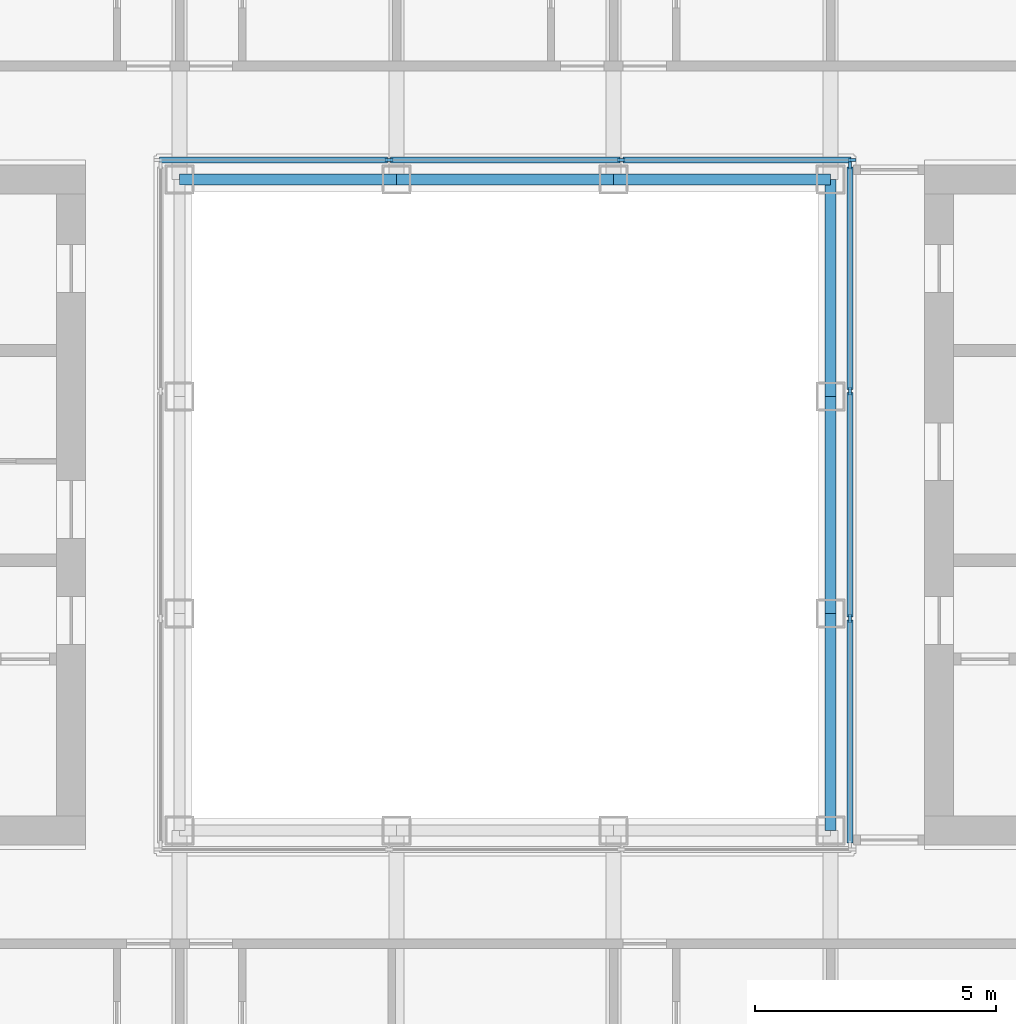
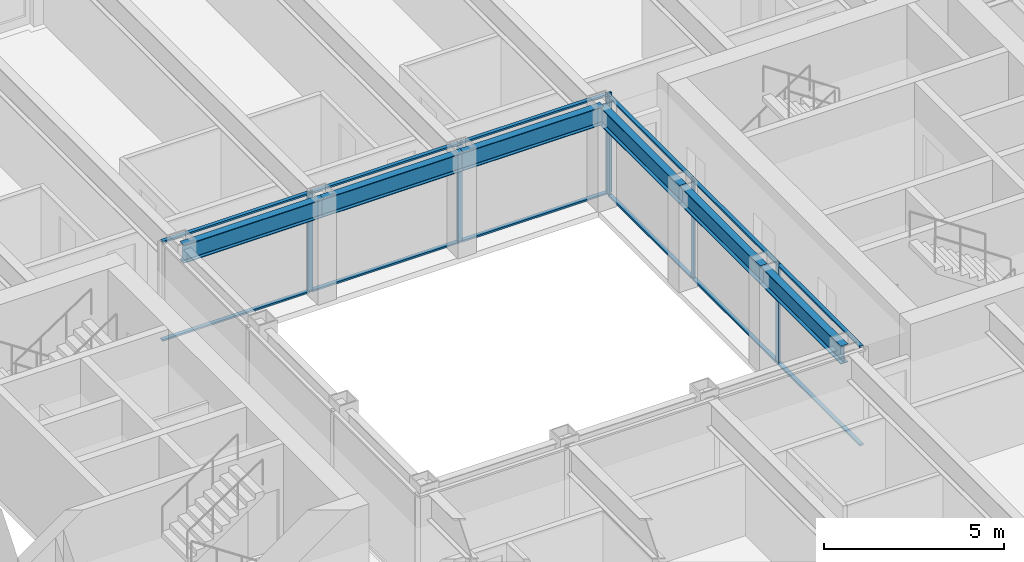
# One storey, part 5 of 17: 18 members, 6 beams, 2 elements without a shape of their own.
"""IFC4 building model written with IfcOpenShell, lengths in metres."""

import ifcopenshell
import ifcopenshell.guid

model = None  # the IFC model being written
_history = None  # IfcOwnerHistory: only IFC2X3 demands one
_inside = {}  # id of a spatial element -> (the spatial element, [elements in it])
_under = {}  # id of a project, library or spatial element -> (it, [spatial elements below it])
_declared = {}  # id of a project -> (the project, [libraries it declares])
_typed = {}  # id of a type object -> (the type object, [elements of that type])
_made_of = {}  # id of a material, layer set ... -> (it, [elements and type objects made of it])


def new_model(schema):
    """Start an empty IFC model of exactly this schema.

    Asked for "IFC4X3", IfcOpenShell would pick the latest addendum, in which some entities
    have other attributes; the version numbers below select the first issue.
    IFC2X3 requires an IfcOwnerHistory on every rooted entity: one is made here for all.
    """
    global model, _history
    if schema == "IFC4X3":
        model = ifcopenshell.file(schema_version=(4, 3, 0, 0))
    else:
        model = ifcopenshell.file(schema=schema)
    _inside.clear()
    _under.clear()
    _declared.clear()
    _typed.clear()
    _made_of.clear()
    _history = None
    if model.schema == "IFC2X3":
        org = make("IfcOrganization", Name="unknown")
        user = make(
            "IfcPersonAndOrganization",
            ThePerson=make("IfcPerson", FamilyName="unknown"),
            TheOrganization=org,
        )
        app = make(
            "IfcApplication",
            ApplicationDeveloper=org,
            Version="unknown",
            ApplicationFullName="unknown",
            ApplicationIdentifier="unknown",
        )
        _history = make(
            "IfcOwnerHistory",
            OwningUser=user,
            OwningApplication=app,
            ChangeAction="ADDED",
            CreationDate=0,
        )
    return model


def make(cls, **values):
    """One entity of the class cls with the attributes given. An attribute that is None is left unset."""
    return model.create_entity(
        cls, **{name: value for name, value in values.items() if value is not None}
    )


def rooted(cls, **values):
    """An entity with a GlobalId (a new one), such as an element, a storey or a relation."""
    return make(cls, GlobalId=ifcopenshell.guid.new(), OwnerHistory=_history, **values)


def si_unit(unit_type, name, prefix=None):
    """IfcSIUnit, for example si_unit("LENGTHUNIT", "METRE", prefix="MILLI")."""
    return make("IfcSIUnit", UnitType=unit_type, Prefix=prefix, Name=name)


def assignment(units):
    """IfcUnitAssignment: the units of a project."""
    return None if units is None else make("IfcUnitAssignment", Units=units)


def point(xyz):
    """IfcCartesianPoint."""
    return None if xyz is None else make("IfcCartesianPoint", Coordinates=xyz)


def direction(xyz):
    """IfcDirection."""
    return None if xyz is None else make("IfcDirection", DirectionRatios=xyz)


def frame(location, z_axis=None, x_axis=None):
    """IfcAxis2Placement3D, a coordinate frame: its origin and axes. An axis left out is left unset."""
    return make(
        "IfcAxis2Placement3D",
        Location=point(location),
        Axis=direction(z_axis),
        RefDirection=direction(x_axis),
    )


def frame_2d(location, x_axis=None):
    """IfcAxis2Placement2D, a coordinate frame in the plane: its origin and x axis."""
    return make(
        "IfcAxis2Placement2D", Location=point(location), RefDirection=direction(x_axis)
    )


def origin():
    """The frame at (0, 0, 0) with its axes left unset."""
    return frame((0.0, 0.0, 0.0))


def origin_2d():
    """The frame at (0, 0) in the plane with its x axis left unset."""
    return frame_2d((0.0, 0.0))


def place(relative_to, where):
    """IfcLocalPlacement: puts the frame where relative to a parent placement (None: the world)."""
    return make(
        "IfcLocalPlacement", PlacementRelTo=relative_to, RelativePlacement=where
    )


def context(
    kind, dimensions, precision=None, world=None, true_north=None, identifier=None
):
    """IfcGeometricRepresentationContext, for example the 3D "Model" context."""
    return make(
        "IfcGeometricRepresentationContext",
        ContextIdentifier=identifier,
        ContextType=kind,
        CoordinateSpaceDimension=dimensions,
        Precision=precision,
        WorldCoordinateSystem=world,
        TrueNorth=true_north,
    )


def subcontext(parent, identifier, kind, view, scale=None):
    """IfcGeometricRepresentationSubContext, for example "Body" below "Model"."""
    return make(
        "IfcGeometricRepresentationSubContext",
        ContextIdentifier=identifier,
        ContextType=kind,
        ParentContext=parent,
        TargetScale=scale,
        TargetView=view,
    )


def project(units=None, contexts=None):
    """IfcProject with its units and contexts."""
    return rooted(
        "IfcProject",
        Name="project",
        RepresentationContexts=contexts,
        UnitsInContext=assignment(units),
    )


def spatial(cls, under=None, at=None, **own):
    """A site, building, storey or space (cls), placed at a placement, below another one or the project."""
    s = rooted(cls, ObjectPlacement=at, **own)
    if under is not None:
        _under.setdefault(under.id(), (under, []))[1].append(s)
    return s


def profile(cls, at=None, kind="AREA", **sizes):
    """A parametric profile (cls). Its sizes go by their IFC names, for example OverallWidth=200.0."""
    return make(cls, ProfileType=kind, Position=at, **sizes)


def rectangle(**sizes):
    """IfcRectangleProfileDef."""
    return profile("IfcRectangleProfileDef", **sizes)


def i_section(**sizes):
    """IfcIShapeProfileDef."""
    return profile("IfcIShapeProfileDef", **sizes)


def extrude(swept, where, along, depth):
    """IfcExtrudedAreaSolid: the profile swept, set in the frame where, extruded along a direction by depth."""
    return make(
        "IfcExtrudedAreaSolid",
        SweptArea=swept,
        Position=where,
        ExtrudedDirection=direction(along),
        Depth=depth,
    )


def shape(context_of_items, identifier, shape_type, items):
    """IfcShapeRepresentation: the items that make up one representation, for example the "Body"."""
    return make(
        "IfcShapeRepresentation",
        ContextOfItems=context_of_items,
        RepresentationIdentifier=identifier,
        RepresentationType=shape_type,
        Items=items,
    )


def material(Name=None, Category=None):
    """IfcMaterial."""
    return make("IfcMaterial", Name=Name, Category=Category)


def material_profile(
    of_material, cross_section, Name=None, Category=None, Priority=None
):
    """IfcMaterialProfile: a cross section and its material."""
    return make(
        "IfcMaterialProfile",
        Name=Name,
        Material=of_material,
        Profile=cross_section,
        Priority=Priority,
        Category=Category,
    )


def profile_set(profiles, Name=None, composite=None):
    """IfcMaterialProfileSet."""
    return make(
        "IfcMaterialProfileSet",
        Name=Name,
        MaterialProfiles=profiles,
        CompositeProfile=composite,
    )


def made_of(thing, what):
    """Note that an element or type object is made of a material, layer set ...; save() writes the relation."""
    if what is not None:
        _made_of.setdefault(what.id(), (what, []))[1].append(thing)
    return thing


def type_object(cls, material=None, **own):
    """A type object (cls), such as IfcWallType, which elements share."""
    return made_of(rooted(cls, **own), material)


def element(
    cls,
    number,
    at=None,
    inside=None,
    cuts=None,
    type_object=None,
    material=None,
    context=None,
    identifier="Body",
    shape_type=None,
    held_by="IfcProductDefinitionShape",
    body=None,
    shapes=None,
    **own,
):
    """One element of the class cls, such as IfcWall. Its Tag is "e" and its number.

    at: its placement. inside: the storey or other place that contains it. cuts: it is an
    opening in that element (IfcRelVoidsElement). A single representation is given by context,
    identifier, shape_type and body (its items); several are given by shapes. held_by: the class
    of the entity that holds the representations. save() writes the other relations.
    """
    e = rooted(cls, Tag="e%d" % number, ObjectPlacement=at, **own)
    if body is not None:
        shapes = [shape(context, identifier, shape_type, body)]
    if shapes is not None:
        e.Representation = make(held_by, Representations=shapes)
    if inside is not None:
        _inside.setdefault(inside.id(), (inside, []))[1].append(e)
    if cuts is not None:
        rooted(
            "IfcRelVoidsElement", RelatingBuildingElement=cuts, RelatedOpeningElement=e
        )
    if type_object is not None:
        _typed.setdefault(type_object.id(), (type_object, []))[1].append(e)
    return made_of(e, material)


def aggregate(whole, parts):
    """IfcRelAggregates: a whole, such as a stair, and the parts it consists of."""
    return rooted("IfcRelAggregates", RelatingObject=whole, RelatedObjects=parts)


def save(model, path):
    """Write the relations noted so far, then the file.

    IfcRelAggregates (storeys below a building ...), IfcRelContainedInSpatialStructure (elements
    in a storey), IfcRelDefinesByType, IfcRelAssociatesMaterial and IfcRelDeclares: one each for
    every whole, place, type object, material and project.
    """
    for whole, parts in _under.values():
        aggregate(whole, parts)
    for where, things in _inside.values():
        rooted(
            "IfcRelContainedInSpatialStructure",
            RelatedElements=things,
            RelatingStructure=where,
        )
    for kind, things in _typed.values():
        rooted("IfcRelDefinesByType", RelatedObjects=things, RelatingType=kind)
    for what, things in _made_of.values():
        rooted("IfcRelAssociatesMaterial", RelatedObjects=things, RelatingMaterial=what)
    for by, libraries in _declared.values():
        rooted("IfcRelDeclares", RelatingContext=by, RelatedDefinitions=libraries)
    model.write(path)


model = new_model("IFC4")

# Units and contexts
model_context = context("Model", 3, precision=1e-05, world=origin(), true_north=direction((0.0, 1.0)))
body_context = subcontext(model_context, "Body", "Model", "MODEL_VIEW")
ifc_project = project(units=[si_unit("LENGTHUNIT", "METRE"), si_unit("AREAUNIT", "SQUARE_METRE"), si_unit("VOLUMEUNIT", "CUBIC_METRE"), si_unit("PLANEANGLEUNIT", "RADIAN"), si_unit("MASSUNIT", "GRAM", prefix="KILO")], contexts=[model_context])

# Site, building, storey
site_placement = place(None, origin())
site = spatial("IfcSite", under=ifc_project, at=site_placement, CompositionType="ELEMENT")
building_placement = place(site_placement, origin())
building = spatial("IfcBuilding", under=site, at=building_placement, Name="Msasa Ring Tower", CompositionType="ELEMENT")
storey_placement = place(building_placement, frame((0.0, 0.0, 147.199951171875)))
storey = spatial("IfcBuildingStorey", under=building, at=storey_placement, Name="L38", CompositionType="ELEMENT", Elevation=147.199951171875)

# Curtain wall, members
ifc_material_1 = material(Name="Aluminium curtain wall with clear glass", Category="aluminium")
curtain_wall_type = type_object("IfcCurtainWallType", Name="CW-W LIGHT WELL CURTAIN WALL", PredefinedType="NOTDEFINED", material=ifc_material_1)
curtain_wall_1_placement = place(storey_placement, origin())
curtain_wall_1 = element("IfcCurtainWall", 1, at=curtain_wall_1_placement, inside=storey, type_object=curtain_wall_type, Name="Light well curtain wall N L38", PredefinedType="NOTDEFINED")
ifc_material_2 = material(Name="Aluminium mullion", Category="aluminium")
ifc_material_profile_1 = material_profile(ifc_material_2, rectangle(XDim=0.06005859375, YDim=0.159912109375, at=origin_2d()), Name="AL 60x160")
ifc_profile_set_1 = profile_set([ifc_material_profile_1], Name="Aluminium mullion")
member_type_1 = type_object("IfcMemberType", Name="CW-W MULLION 60x160", PredefinedType="MULLION", material=ifc_profile_set_1)
member_1_placement = place(storey_placement, frame((-2.409912109375, 7.14990234375, 0.0), z_axis=(0.0, 0.0, 1.0), x_axis=(0.0, 1.0, 0.0)))
member_1 = element("IfcMember", 2, at=member_1_placement, type_object=member_type_1, Name="CW-W mullion 2", PredefinedType="MULLION", context=body_context, shape_type="SweptSolid", body=[
    extrude(rectangle(XDim=0.06005859375, YDim=0.159912109375, at=origin_2d()), origin(), (0.0, 0.0, 1.0), 3.400146484375),
])
member_2_placement = place(storey_placement, frame((2.409912109375, 7.14990234375, 0.0), z_axis=(0.0, 0.0, 1.0), x_axis=(0.0, 1.0, 0.0)))
member_2 = element("IfcMember", 3, at=member_2_placement, type_object=member_type_1, Name="CW-W mullion 3", PredefinedType="MULLION", context=body_context, shape_type="SweptSolid", body=[
    extrude(rectangle(XDim=0.06005859375, YDim=0.159912109375, at=origin_2d()), origin(), (0.0, 0.0, 1.0), 3.400146484375),
])
member_3_placement = place(storey_placement, frame((7.199951171875, 7.14990234375, 0.0), z_axis=(0.0, 0.0, 1.0), x_axis=(0.0, 1.0, 0.0)))
member_3 = element("IfcMember", 4, at=member_3_placement, type_object=member_type_1, Name="CW-W mullion 4", PredefinedType="MULLION", context=body_context, shape_type="SweptSolid", body=[
    extrude(rectangle(XDim=0.06005859375, YDim=0.159912109375, at=origin_2d()), origin(), (0.0, 0.0, 1.0), 3.400146484375),
])

curtain_wall_2_placement = place(storey_placement, origin())
curtain_wall_2 = element("IfcCurtainWall", 5, at=curtain_wall_2_placement, inside=storey, type_object=curtain_wall_type, Name="Light well curtain wall E L38", PredefinedType="NOTDEFINED")
member_4_placement = place(storey_placement, frame((7.14990234375, -2.356689453125, 0.0), z_axis=(0.0, 0.0, 1.0), x_axis=(-1.0, 0.0, 0.0)))
member_4 = element("IfcMember", 6, at=member_4_placement, type_object=member_type_1, Name="CW-W mullion 2", PredefinedType="MULLION", context=body_context, shape_type="SweptSolid", body=[
    extrude(rectangle(XDim=0.06005859375, YDim=0.159912109375, at=origin_2d()), origin(), (0.0, 0.0, 1.0), 3.400146484375),
])
member_5_placement = place(storey_placement, frame((7.14990234375, 2.356689453125, 0.0), z_axis=(0.0, 0.0, 1.0), x_axis=(-1.0, 0.0, 0.0)))
member_5 = element("IfcMember", 7, at=member_5_placement, type_object=member_type_1, Name="CW-W mullion 3", PredefinedType="MULLION", context=body_context, shape_type="SweptSolid", body=[
    extrude(rectangle(XDim=0.06005859375, YDim=0.159912109375, at=origin_2d()), origin(), (0.0, 0.0, 1.0), 3.400146484375),
])
member_6_placement = place(storey_placement, frame((7.14990234375, 7.0400390625, 0.0), z_axis=(0.0, 0.0, 1.0), x_axis=(-1.0, 0.0, 0.0)))
member_6 = element("IfcMember", 8, at=member_6_placement, type_object=member_type_1, Name="CW-W mullion 4", PredefinedType="MULLION", context=body_context, shape_type="SweptSolid", body=[
    extrude(rectangle(XDim=0.06005859375, YDim=0.159912109375, at=origin_2d()), origin(), (0.0, 0.0, 1.0), 3.400146484375),
])

# Member
ifc_material_3 = material(Name="Aluminium transom", Category="aluminium")
ifc_material_profile_2 = material_profile(ifc_material_3, rectangle(XDim=0.1201171875, YDim=0.06005859375, at=origin_2d()), Name="AL 60x120")
ifc_profile_set_2 = profile_set([ifc_material_profile_2], Name="Aluminium transom")
member_type_2 = type_object("IfcMemberType", Name="CW-W TRANSOM 60x120", PredefinedType="USERDEFINED", material=ifc_profile_set_2)
member_7_placement = place(storey_placement, frame((-7.169921875, 7.14990234375, 0.030029296875), z_axis=(1.0, 0.0, 0.0), x_axis=(0.0, 1.0, 0.0)))
member_7 = element("IfcMember", 9, at=member_7_placement, type_object=member_type_2, Name="CW-W transom 1.1", ObjectType="TRANSOM", PredefinedType="USERDEFINED", context=body_context, shape_type="SweptSolid", body=[
    extrude(rectangle(XDim=0.1201171875, YDim=0.06005859375, at=origin_2d()), origin(), (0.0, 0.0, 1.0), 4.72998046875),
])

member_8_placement = place(storey_placement, frame((-7.169921875, 7.14990234375, 3.3701171875), z_axis=(1.0, 0.0, 0.0), x_axis=(0.0, 1.0, 0.0)))
member_8 = element("IfcMember", 10, at=member_8_placement, type_object=member_type_2, Name="CW-W transom 1.2", ObjectType="TRANSOM", PredefinedType="USERDEFINED", context=body_context, shape_type="SweptSolid", body=[
    extrude(rectangle(XDim=0.1201171875, YDim=0.06005859375, at=origin_2d()), origin(), (0.0, 0.0, 1.0), 4.72998046875),
])

member_9_placement = place(storey_placement, frame((-2.3798828125, 7.14990234375, 0.030029296875), z_axis=(1.0, 0.0, 0.0), x_axis=(0.0, 1.0, 0.0)))
member_9 = element("IfcMember", 11, at=member_9_placement, type_object=member_type_2, Name="CW-W transom 2.1", ObjectType="TRANSOM", PredefinedType="USERDEFINED", context=body_context, shape_type="SweptSolid", body=[
    extrude(rectangle(XDim=0.1201171875, YDim=0.06005859375, at=origin_2d()), origin(), (0.0, 0.0, 1.0), 4.759765625),
])

member_10_placement = place(storey_placement, frame((-2.3798828125, 7.14990234375, 3.3701171875), z_axis=(1.0, 0.0, 0.0), x_axis=(0.0, 1.0, 0.0)))
member_10 = element("IfcMember", 12, at=member_10_placement, type_object=member_type_2, Name="CW-W transom 2.2", ObjectType="TRANSOM", PredefinedType="USERDEFINED", context=body_context, shape_type="SweptSolid", body=[
    extrude(rectangle(XDim=0.1201171875, YDim=0.06005859375, at=origin_2d()), origin(), (0.0, 0.0, 1.0), 4.759765625),
])

member_11_placement = place(storey_placement, frame((2.43994140625, 7.14990234375, 0.030029296875), z_axis=(1.0, 0.0, 0.0), x_axis=(0.0, 1.0, 0.0)))
member_11 = element("IfcMember", 13, at=member_11_placement, type_object=member_type_2, Name="CW-W transom 3.1", ObjectType="TRANSOM", PredefinedType="USERDEFINED", context=body_context, shape_type="SweptSolid", body=[
    extrude(rectangle(XDim=0.1201171875, YDim=0.06005859375, at=origin_2d()), origin(), (0.0, 0.0, 1.0), 4.72998046875),
])

member_12_placement = place(storey_placement, frame((2.43994140625, 7.14990234375, 3.3701171875), z_axis=(1.0, 0.0, 0.0), x_axis=(0.0, 1.0, 0.0)))
member_12 = element("IfcMember", 14, at=member_12_placement, type_object=member_type_2, Name="CW-W transom 3.2", ObjectType="TRANSOM", PredefinedType="USERDEFINED", context=body_context, shape_type="SweptSolid", body=[
    extrude(rectangle(XDim=0.1201171875, YDim=0.06005859375, at=origin_2d()), origin(), (0.0, 0.0, 1.0), 4.72998046875),
])

aggregate(curtain_wall_1, [member_1, member_2, member_3, member_7, member_8, member_9, member_10, member_11, member_12])

member_13_placement = place(storey_placement, frame((7.14990234375, -7.010009765625, 0.030029296875), z_axis=(0.0, 1.0, 0.0), x_axis=(-1.0, 0.0, 0.0)))
member_13 = element("IfcMember", 15, at=member_13_placement, type_object=member_type_2, Name="CW-W transom 1.1", ObjectType="TRANSOM", PredefinedType="USERDEFINED", context=body_context, shape_type="SweptSolid", body=[
    extrude(rectangle(XDim=0.1201171875, YDim=0.06005859375, at=origin_2d()), origin(), (0.0, 0.0, 1.0), 4.623291015625),
])

member_14_placement = place(storey_placement, frame((7.14990234375, -7.010009765625, 3.3701171875), z_axis=(0.0, 1.0, 0.0), x_axis=(-1.0, 0.0, 0.0)))
member_14 = element("IfcMember", 16, at=member_14_placement, type_object=member_type_2, Name="CW-W transom 1.2", ObjectType="TRANSOM", PredefinedType="USERDEFINED", context=body_context, shape_type="SweptSolid", body=[
    extrude(rectangle(XDim=0.1201171875, YDim=0.06005859375, at=origin_2d()), origin(), (0.0, 0.0, 1.0), 4.623291015625),
])

member_15_placement = place(storey_placement, frame((7.14990234375, -2.32666015625, 0.030029296875), z_axis=(0.0, 1.0, 0.0), x_axis=(-1.0, 0.0, 0.0)))
member_15 = element("IfcMember", 17, at=member_15_placement, type_object=member_type_2, Name="CW-W transom 2.1", ObjectType="TRANSOM", PredefinedType="USERDEFINED", context=body_context, shape_type="SweptSolid", body=[
    extrude(rectangle(XDim=0.1201171875, YDim=0.06005859375, at=origin_2d()), origin(), (0.0, 0.0, 1.0), 4.6533203125),
])

member_16_placement = place(storey_placement, frame((7.14990234375, -2.32666015625, 3.3701171875), z_axis=(0.0, 1.0, 0.0), x_axis=(-1.0, 0.0, 0.0)))
member_16 = element("IfcMember", 18, at=member_16_placement, type_object=member_type_2, Name="CW-W transom 2.2", ObjectType="TRANSOM", PredefinedType="USERDEFINED", context=body_context, shape_type="SweptSolid", body=[
    extrude(rectangle(XDim=0.1201171875, YDim=0.06005859375, at=origin_2d()), origin(), (0.0, 0.0, 1.0), 4.6533203125),
])

member_17_placement = place(storey_placement, frame((7.14990234375, 2.38671875, 0.030029296875), z_axis=(0.0, 1.0, 0.0), x_axis=(-1.0, 0.0, 0.0)))
member_17 = element("IfcMember", 19, at=member_17_placement, type_object=member_type_2, Name="CW-W transom 3.1", ObjectType="TRANSOM", PredefinedType="USERDEFINED", context=body_context, shape_type="SweptSolid", body=[
    extrude(rectangle(XDim=0.1201171875, YDim=0.06005859375, at=origin_2d()), origin(), (0.0, 0.0, 1.0), 4.623291015625),
])

member_18_placement = place(storey_placement, frame((7.14990234375, 2.38671875, 3.3701171875), z_axis=(0.0, 1.0, 0.0), x_axis=(-1.0, 0.0, 0.0)))
member_18 = element("IfcMember", 20, at=member_18_placement, type_object=member_type_2, Name="CW-W transom 3.2", ObjectType="TRANSOM", PredefinedType="USERDEFINED", context=body_context, shape_type="SweptSolid", body=[
    extrude(rectangle(XDim=0.1201171875, YDim=0.06005859375, at=origin_2d()), origin(), (0.0, 0.0, 1.0), 4.623291015625),
])

aggregate(curtain_wall_2, [member_4, member_5, member_6, member_13, member_14, member_15, member_16, member_17, member_18])

# Beams
ifc_material_4 = material(Name="Steel S355", Category="steel")
ifc_material_profile_3 = material_profile(ifc_material_4, i_section(OverallWidth=0.230224609375, OverallDepth=0.6171875, WebThickness=0.01318359375, FlangeThickness=0.022216796875, FilletRadius=0.0126953125, at=origin_2d()), Name="UB 610x229x140")
ifc_profile_set_3 = profile_set([ifc_material_profile_3], Name="Steel S355")
beam_type = type_object("IfcBeamType", Name="RB1 UB 610x229x140", PredefinedType="BEAM", material=ifc_profile_set_3)
for number, where, z_axis, x_axis, name in (
    (21, (6.75, -6.75, 3.091552734375), (0.0, 1.0, 0.0), (-1.0, 0.0, 0.0), "Inner ring beam IR+6.75-6.75 under L39"),
    (22, (6.75, -2.25, 3.091552734375), (0.0, 1.0, 0.0), (-1.0, 0.0, 0.0), "Inner ring beam IR+6.75-2.25 under L39"),
    (23, (6.75, 2.25, 3.091552734375), (0.0, 1.0, 0.0), (-1.0, 0.0, 0.0), "Inner ring beam IR+6.75+2.25 under L39"),
    (24, (6.75, 6.75, 3.091552734375), (-1.0, 0.0, 0.0), (0.0, -1.0, 0.0), "Inner ring beam IR+6.75+6.75 under L39"),
    (25, (2.25, 6.75, 3.091552734375), (-1.0, 0.0, 0.0), (0.0, -1.0, 0.0), "Inner ring beam IR+2.25+6.75 under L39"),
    (26, (-2.25, 6.75, 3.091552734375), (-1.0, 0.0, 0.0), (0.0, -1.0, 0.0), "Inner ring beam IR-2.25+6.75 under L39"),
):
    element("IfcBeam", number, at=place(storey_placement, frame(where, z_axis=z_axis, x_axis=x_axis)), inside=storey, type_object=beam_type, Name=name, PredefinedType="BEAM", context=body_context, shape_type="SweptSolid", body=[
        extrude(i_section(OverallWidth=0.230224609375, OverallDepth=0.6171875, WebThickness=0.01318359375, FlangeThickness=0.022216796875, FilletRadius=0.0126953125, at=origin_2d()), origin(), (0.0, 0.0, 1.0), 4.5),
    ])

save(model, "model.ifc")
